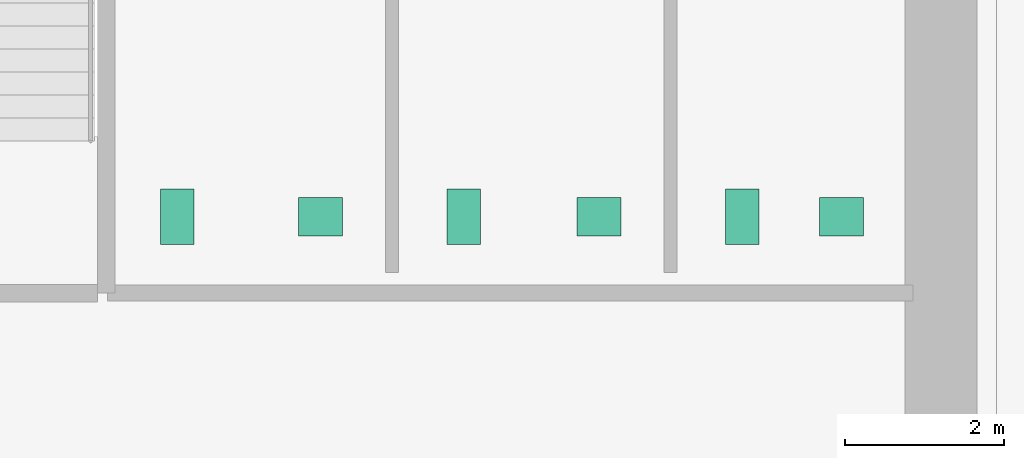
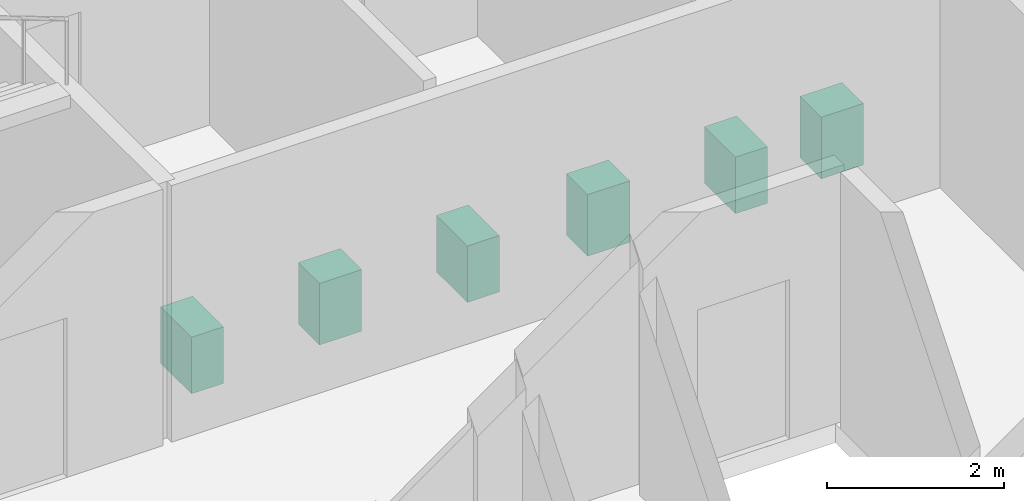
# One storey, part 13 of 13: 6 sanitary terminals.
"""IFC4 building model written with IfcOpenShell, lengths in metres."""

from ifc_helpers import new_model, si_unit, direction, frame, origin, origin_2d, place, context, subcontext, project, spatial, rectangle, extrude, material, type_object, element, save


model = new_model("IFC4")

# Units and contexts
model_context = context("Model", 3, precision=1e-05, world=origin(), true_north=direction((0.0, 1.0)))
body_context = subcontext(model_context, "Body", "Model", "MODEL_VIEW")
ifc_project = project(units=[si_unit("LENGTHUNIT", "METRE"), si_unit("AREAUNIT", "SQUARE_METRE"), si_unit("VOLUMEUNIT", "CUBIC_METRE"), si_unit("PLANEANGLEUNIT", "RADIAN"), si_unit("MASSUNIT", "GRAM", prefix="KILO")], contexts=[model_context])

# Site, building, storey
site_placement = place(None, origin())
site = spatial("IfcSite", under=ifc_project, at=site_placement, CompositionType="ELEMENT")
building_placement = place(site_placement, origin())
building = spatial("IfcBuilding", under=site, at=building_placement, Name="Norrvale University Quadrangle", CompositionType="ELEMENT")
storey_placement = place(building_placement, frame((0.0, 0.0, 31.800048828125)))
storey = spatial("IfcBuildingStorey", under=building, at=storey_placement, Name="L07", CompositionType="ELEMENT", Elevation=31.800048828125)

# Sanitary terminals
ifc_material = material(Name="Vitreous China Sanitaryware")
sanitary_terminal_type_1 = type_object("IfcSanitaryTerminalType", Name="Sanitary Wash Basin", PredefinedType="WASHHANDBASIN", material=ifc_material)
for number, where, z_axis, x_axis, name in (
    (1, (9.0, 41.10009765625, 0.0), (0.0, 0.0, 1.0), (1.0, 0.0, 0.0), "Accessible Countertop Washbasin L07-1"),
    (2, (12.5, 41.10009765625, 0.0), (0.0, 0.0, 1.0), (1.0, 0.0, 0.0), "Accessible Countertop Washbasin L07-2"),
    (3, (15.550048828125, 41.10009765625, 0.0), (0.0, 0.0, 1.0), (1.0, 0.0, 0.0), "Accessible Countertop Washbasin L07-3"),
):
    element("IfcSanitaryTerminal", number, at=place(storey_placement, frame(where, z_axis=z_axis, x_axis=x_axis)), inside=storey, type_object=sanitary_terminal_type_1, Name=name, PredefinedType="WASHHANDBASIN", context=body_context, shape_type="SweptSolid", body=[
        extrude(rectangle(XDim=0.550048828125, YDim=0.47998046875, at=origin_2d()), origin(), (0.0, 0.0, 1.0), 0.85009765625),
    ])
sanitary_terminal_type_2 = type_object("IfcSanitaryTerminalType", Name="Sanitary Water Closet", PredefinedType="TOILETPAN", material=ifc_material)
for number, where, z_axis, x_axis, name in (
    (4, (7.199951171875, 41.10009765625, 0.0), (0.0, 0.0, 1.0), (1.0, 0.0, 0.0), "Wall-Hung Water Closet L07-1"),
    (5, (10.800048828125, 41.10009765625, 0.0), (0.0, 0.0, 1.0), (1.0, 0.0, 0.0), "Wall-Hung Water Closet L07-2"),
    (6, (14.300048828125, 41.10009765625, 0.0), (0.0, 0.0, 1.0), (1.0, 0.0, 0.0), "Wall-Hung Water Closet L07-3"),
):
    element("IfcSanitaryTerminal", number, at=place(storey_placement, frame(where, z_axis=z_axis, x_axis=x_axis)), inside=storey, type_object=sanitary_terminal_type_2, Name=name, PredefinedType="TOILETPAN", context=body_context, shape_type="SweptSolid", body=[
        extrude(rectangle(XDim=0.419921875, YDim=0.699951171875, at=origin_2d()), origin(), (0.0, 0.0, 1.0), 0.780029296875),
    ])

save(model, "model.ifc")
